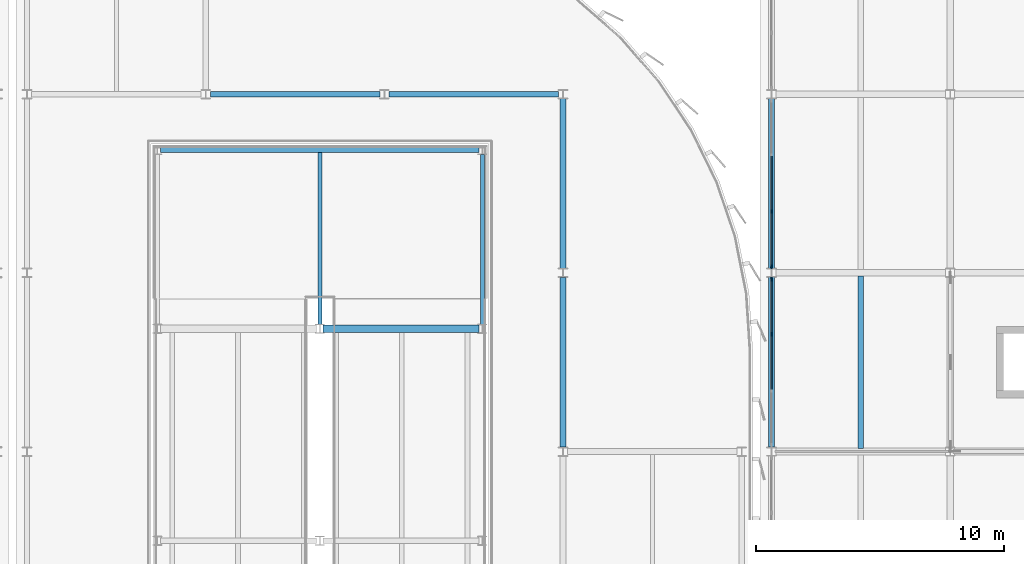
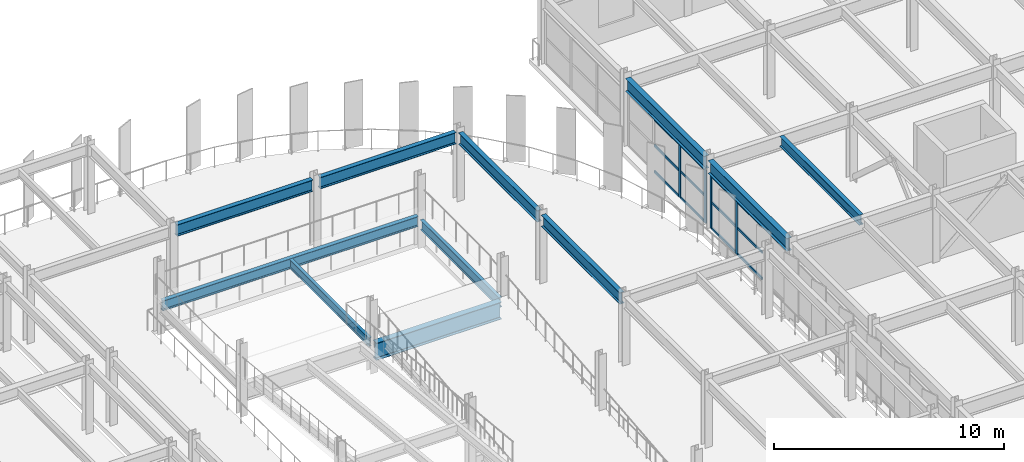
# One storey, part 35 of 80: 16 members, 11 beams, 2 elements without a shape of their own.
"""IFC4 building model written with IfcOpenShell, lengths in metres."""

import ifcopenshell
import ifcopenshell.guid

model = None  # the IFC model being written
_history = None  # IfcOwnerHistory: only IFC2X3 demands one
_inside = {}  # id of a spatial element -> (the spatial element, [elements in it])
_under = {}  # id of a project, library or spatial element -> (it, [spatial elements below it])
_declared = {}  # id of a project -> (the project, [libraries it declares])
_typed = {}  # id of a type object -> (the type object, [elements of that type])
_made_of = {}  # id of a material, layer set ... -> (it, [elements and type objects made of it])


def new_model(schema):
    """Start an empty IFC model of exactly this schema.

    Asked for "IFC4X3", IfcOpenShell would pick the latest addendum, in which some entities
    have other attributes; the version numbers below select the first issue.
    IFC2X3 requires an IfcOwnerHistory on every rooted entity: one is made here for all.
    """
    global model, _history
    if schema == "IFC4X3":
        model = ifcopenshell.file(schema_version=(4, 3, 0, 0))
    else:
        model = ifcopenshell.file(schema=schema)
    _inside.clear()
    _under.clear()
    _declared.clear()
    _typed.clear()
    _made_of.clear()
    _history = None
    if model.schema == "IFC2X3":
        org = make("IfcOrganization", Name="unknown")
        user = make(
            "IfcPersonAndOrganization",
            ThePerson=make("IfcPerson", FamilyName="unknown"),
            TheOrganization=org,
        )
        app = make(
            "IfcApplication",
            ApplicationDeveloper=org,
            Version="unknown",
            ApplicationFullName="unknown",
            ApplicationIdentifier="unknown",
        )
        _history = make(
            "IfcOwnerHistory",
            OwningUser=user,
            OwningApplication=app,
            ChangeAction="ADDED",
            CreationDate=0,
        )
    return model


def make(cls, **values):
    """One entity of the class cls with the attributes given. An attribute that is None is left unset."""
    return model.create_entity(
        cls, **{name: value for name, value in values.items() if value is not None}
    )


def rooted(cls, **values):
    """An entity with a GlobalId (a new one), such as an element, a storey or a relation."""
    return make(cls, GlobalId=ifcopenshell.guid.new(), OwnerHistory=_history, **values)


def si_unit(unit_type, name, prefix=None):
    """IfcSIUnit, for example si_unit("LENGTHUNIT", "METRE", prefix="MILLI")."""
    return make("IfcSIUnit", UnitType=unit_type, Prefix=prefix, Name=name)


def assignment(units):
    """IfcUnitAssignment: the units of a project."""
    return None if units is None else make("IfcUnitAssignment", Units=units)


def point(xyz):
    """IfcCartesianPoint."""
    return None if xyz is None else make("IfcCartesianPoint", Coordinates=xyz)


def direction(xyz):
    """IfcDirection."""
    return None if xyz is None else make("IfcDirection", DirectionRatios=xyz)


def frame(location, z_axis=None, x_axis=None):
    """IfcAxis2Placement3D, a coordinate frame: its origin and axes. An axis left out is left unset."""
    return make(
        "IfcAxis2Placement3D",
        Location=point(location),
        Axis=direction(z_axis),
        RefDirection=direction(x_axis),
    )


def frame_2d(location, x_axis=None):
    """IfcAxis2Placement2D, a coordinate frame in the plane: its origin and x axis."""
    return make(
        "IfcAxis2Placement2D", Location=point(location), RefDirection=direction(x_axis)
    )


def origin():
    """The frame at (0, 0, 0) with its axes left unset."""
    return frame((0.0, 0.0, 0.0))


def origin_2d():
    """The frame at (0, 0) in the plane with its x axis left unset."""
    return frame_2d((0.0, 0.0))


def place(relative_to, where):
    """IfcLocalPlacement: puts the frame where relative to a parent placement (None: the world)."""
    return make(
        "IfcLocalPlacement", PlacementRelTo=relative_to, RelativePlacement=where
    )


def context(
    kind, dimensions, precision=None, world=None, true_north=None, identifier=None
):
    """IfcGeometricRepresentationContext, for example the 3D "Model" context."""
    return make(
        "IfcGeometricRepresentationContext",
        ContextIdentifier=identifier,
        ContextType=kind,
        CoordinateSpaceDimension=dimensions,
        Precision=precision,
        WorldCoordinateSystem=world,
        TrueNorth=true_north,
    )


def subcontext(parent, identifier, kind, view, scale=None):
    """IfcGeometricRepresentationSubContext, for example "Body" below "Model"."""
    return make(
        "IfcGeometricRepresentationSubContext",
        ContextIdentifier=identifier,
        ContextType=kind,
        ParentContext=parent,
        TargetScale=scale,
        TargetView=view,
    )


def project(units=None, contexts=None):
    """IfcProject with its units and contexts."""
    return rooted(
        "IfcProject",
        Name="project",
        RepresentationContexts=contexts,
        UnitsInContext=assignment(units),
    )


def spatial(cls, under=None, at=None, **own):
    """A site, building, storey or space (cls), placed at a placement, below another one or the project."""
    s = rooted(cls, ObjectPlacement=at, **own)
    if under is not None:
        _under.setdefault(under.id(), (under, []))[1].append(s)
    return s


def profile(cls, at=None, kind="AREA", **sizes):
    """A parametric profile (cls). Its sizes go by their IFC names, for example OverallWidth=200.0."""
    return make(cls, ProfileType=kind, Position=at, **sizes)


def rectangle(**sizes):
    """IfcRectangleProfileDef."""
    return profile("IfcRectangleProfileDef", **sizes)


def i_section(**sizes):
    """IfcIShapeProfileDef."""
    return profile("IfcIShapeProfileDef", **sizes)


def extrude(swept, where, along, depth):
    """IfcExtrudedAreaSolid: the profile swept, set in the frame where, extruded along a direction by depth."""
    return make(
        "IfcExtrudedAreaSolid",
        SweptArea=swept,
        Position=where,
        ExtrudedDirection=direction(along),
        Depth=depth,
    )


def shape(context_of_items, identifier, shape_type, items):
    """IfcShapeRepresentation: the items that make up one representation, for example the "Body"."""
    return make(
        "IfcShapeRepresentation",
        ContextOfItems=context_of_items,
        RepresentationIdentifier=identifier,
        RepresentationType=shape_type,
        Items=items,
    )


def material(Name=None, Category=None):
    """IfcMaterial."""
    return make("IfcMaterial", Name=Name, Category=Category)


def material_profile(
    of_material, cross_section, Name=None, Category=None, Priority=None
):
    """IfcMaterialProfile: a cross section and its material."""
    return make(
        "IfcMaterialProfile",
        Name=Name,
        Material=of_material,
        Profile=cross_section,
        Priority=Priority,
        Category=Category,
    )


def profile_set(profiles, Name=None, composite=None):
    """IfcMaterialProfileSet."""
    return make(
        "IfcMaterialProfileSet",
        Name=Name,
        MaterialProfiles=profiles,
        CompositeProfile=composite,
    )


def made_of(thing, what):
    """Note that an element or type object is made of a material, layer set ...; save() writes the relation."""
    if what is not None:
        _made_of.setdefault(what.id(), (what, []))[1].append(thing)
    return thing


def type_object(cls, material=None, **own):
    """A type object (cls), such as IfcWallType, which elements share."""
    return made_of(rooted(cls, **own), material)


def element(
    cls,
    number,
    at=None,
    inside=None,
    cuts=None,
    type_object=None,
    material=None,
    context=None,
    identifier="Body",
    shape_type=None,
    held_by="IfcProductDefinitionShape",
    body=None,
    shapes=None,
    **own,
):
    """One element of the class cls, such as IfcWall. Its Tag is "e" and its number.

    at: its placement. inside: the storey or other place that contains it. cuts: it is an
    opening in that element (IfcRelVoidsElement). A single representation is given by context,
    identifier, shape_type and body (its items); several are given by shapes. held_by: the class
    of the entity that holds the representations. save() writes the other relations.
    """
    e = rooted(cls, Tag="e%d" % number, ObjectPlacement=at, **own)
    if body is not None:
        shapes = [shape(context, identifier, shape_type, body)]
    if shapes is not None:
        e.Representation = make(held_by, Representations=shapes)
    if inside is not None:
        _inside.setdefault(inside.id(), (inside, []))[1].append(e)
    if cuts is not None:
        rooted(
            "IfcRelVoidsElement", RelatingBuildingElement=cuts, RelatedOpeningElement=e
        )
    if type_object is not None:
        _typed.setdefault(type_object.id(), (type_object, []))[1].append(e)
    return made_of(e, material)


def aggregate(whole, parts):
    """IfcRelAggregates: a whole, such as a stair, and the parts it consists of."""
    return rooted("IfcRelAggregates", RelatingObject=whole, RelatedObjects=parts)


def save(model, path):
    """Write the relations noted so far, then the file.

    IfcRelAggregates (storeys below a building ...), IfcRelContainedInSpatialStructure (elements
    in a storey), IfcRelDefinesByType, IfcRelAssociatesMaterial and IfcRelDeclares: one each for
    every whole, place, type object, material and project.
    """
    for whole, parts in _under.values():
        aggregate(whole, parts)
    for where, things in _inside.values():
        rooted(
            "IfcRelContainedInSpatialStructure",
            RelatedElements=things,
            RelatingStructure=where,
        )
    for kind, things in _typed.values():
        rooted("IfcRelDefinesByType", RelatedObjects=things, RelatingType=kind)
    for what, things in _made_of.values():
        rooted("IfcRelAssociatesMaterial", RelatedObjects=things, RelatingMaterial=what)
    for by, libraries in _declared.values():
        rooted("IfcRelDeclares", RelatingContext=by, RelatedDefinitions=libraries)
    model.write(path)


model = new_model("IFC4")

# Units and contexts
model_context = context("Model", 3, precision=1e-05, world=origin(), true_north=direction((0.0, 1.0)))
body_context = subcontext(model_context, "Body", "Model", "MODEL_VIEW")
ifc_project = project(units=[si_unit("LENGTHUNIT", "METRE"), si_unit("AREAUNIT", "SQUARE_METRE"), si_unit("VOLUMEUNIT", "CUBIC_METRE"), si_unit("PLANEANGLEUNIT", "RADIAN"), si_unit("MASSUNIT", "GRAM", prefix="KILO")], contexts=[model_context])

# Site, building, storey
site_placement = place(None, origin())
site = spatial("IfcSite", under=ifc_project, at=site_placement, CompositionType="ELEMENT")
building_placement = place(site_placement, origin())
building = spatial("IfcBuilding", under=site, at=building_placement, Name="Vaelcorin Mobility Hub", CompositionType="ELEMENT")
storey_placement = place(building_placement, frame((0.0, 0.0, 9.300048828125)))
storey = spatial("IfcBuildingStorey", under=building, at=storey_placement, Name="L02", CompositionType="ELEMENT", Elevation=9.300048828125)

# Beams
ifc_material_1 = material(Name="Steel ASTM A992 Grade 50", Category="steel")
ifc_material_profile_1 = material_profile(ifc_material_1, i_section(OverallWidth=0.152099609375, OverallDepth=0.455078125, WebThickness=0.008056640625, FlangeThickness=0.01318359375, FilletRadius=0.012939453125, at=origin_2d()), Name="W18X40")
ifc_profile_set_1 = profile_set([ifc_material_profile_1], Name="Steel ASTM A992 Grade 50")
beam_type_1 = type_object("IfcBeamType", Name="BM-W18X40", PredefinedType="JOIST", material=ifc_profile_set_1)
beam_1_placement = place(storey_placement, frame((135.39990234375, 103.52490234375, 1.44287109375), z_axis=(0.0, 1.0, 0.0), x_axis=(-1.0, 0.0, 0.0)))
element("IfcBeam", 1, at=beam_1_placement, inside=storey, type_object=beam_type_1, Name="Vehicle Ramp VR-2 L02 Landing Mid Joist", PredefinedType="JOIST", context=body_context, shape_type="SweptSolid", body=[
    extrude(i_section(OverallWidth=0.152099609375, OverallDepth=0.455078125, WebThickness=0.008056640625, FlangeThickness=0.01318359375, FilletRadius=0.012939453125, at=origin_2d()), origin(), (0.0, 0.0, 1.0), 6.922119140625),
])
ifc_material_profile_2 = material_profile(ifc_material_1, i_section(OverallWidth=0.166015625, OverallDepth=0.528076171875, WebThickness=0.009765625, FlangeThickness=0.013671875, FilletRadius=0.013916015625, at=origin_2d()), Name="W21X50")
ifc_profile_set_2 = profile_set([ifc_material_profile_2], Name="Steel ASTM A992 Grade 50")
beam_type_2 = type_object("IfcBeamType", Name="BM-W21X50", PredefinedType="JOIST", material=ifc_profile_set_2)
beam_2_placement = place(storey_placement, frame((141.949951171875, 103.52490234375, 1.25390625), z_axis=(0.0, 1.0, 0.0), x_axis=(-1.0, 0.0, 0.0)))
element("IfcBeam", 2, at=beam_2_placement, inside=storey, type_object=beam_type_2, Name="Vehicle Ramp VR-2 L02 Landing East Edge Beam", PredefinedType="JOIST", context=body_context, shape_type="SweptSolid", body=[
    extrude(i_section(OverallWidth=0.166015625, OverallDepth=0.528076171875, WebThickness=0.009765625, FlangeThickness=0.013671875, FilletRadius=0.013916015625, at=origin_2d()), origin(), (0.0, 0.0, 1.0), 6.85009765625),
])
ifc_material_profile_3 = material_profile(ifc_material_1, i_section(OverallWidth=0.2099609375, OverallDepth=0.532958984375, WebThickness=0.01025390625, FlangeThickness=0.015625, FilletRadius=0.013916015625, at=origin_2d()), Name="W21X62")
ifc_profile_set_3 = profile_set([ifc_material_profile_3], Name="Steel ASTM A992 Grade 50")
beam_type_3 = type_object("IfcBeamType", Name="BM-W21X62", PredefinedType="JOIST", material=ifc_profile_set_3)
beam_3_placement = place(storey_placement, frame((157.199951171875, 98.531982421875, 3.333984375), z_axis=(0.0, 1.0, 0.0), x_axis=(-1.0, 0.0, 0.0)))
element("IfcBeam", 3, at=beam_3_placement, inside=storey, type_object=beam_type_3, Name="L02 Beam V5-L02-J-01-12-1", PredefinedType="JOIST", context=body_context, shape_type="SweptSolid", body=[
    extrude(i_section(OverallWidth=0.2099609375, OverallDepth=0.532958984375, WebThickness=0.01025390625, FlangeThickness=0.015625, FilletRadius=0.013916015625, at=origin_2d()), origin(), (0.0, 0.0, 1.0), 6.93603515625),
])
ifc_material_profile_4 = material_profile(ifc_material_1, i_section(OverallWidth=0.2099609375, OverallDepth=0.535888671875, WebThickness=0.010986328125, FlangeThickness=0.017333984375, FilletRadius=0.013916015625, at=origin_2d()), Name="W21X68")
ifc_profile_set_4 = profile_set([ifc_material_profile_4], Name="Steel ASTM A992 Grade 50")
beam_type_4 = type_object("IfcBeamType", Name="BM-W21X68", PredefinedType="SPANDREL", material=ifc_profile_set_4)
beam_4_placement = place(storey_placement, frame((128.97998046875, 110.550048828125, 1.40185546875), z_axis=(1.0, 0.0, 0.0), x_axis=(0.0, 1.0, 0.0)))
element("IfcBeam", 4, at=beam_4_placement, inside=storey, type_object=beam_type_4, Name="Vehicle Ramp VR-2 L02 Landing Back Girder", PredefinedType="SPANDREL", context=body_context, shape_type="SweptSolid", body=[
    extrude(i_section(OverallWidth=0.2099609375, OverallDepth=0.535888671875, WebThickness=0.010986328125, FlangeThickness=0.017333984375, FilletRadius=0.013916015625, at=origin_2d()), origin(), (0.0, 0.0, 1.0), 12.840087890625),
])
ifc_material_profile_5 = material_profile(ifc_material_1, i_section(OverallWidth=0.22900390625, OverallDepth=0.612060546875, WebThickness=0.011962890625, FlangeThickness=0.01953125, FilletRadius=0.014892578125, at=origin_2d()), Name="W24X84")
ifc_profile_set_5 = profile_set([ifc_material_profile_5], Name="Steel ASTM A992 Grade 50")
beam_type_5 = type_object("IfcBeamType", Name="BM-W24X84", PredefinedType="BEAM", material=ifc_profile_set_5)
for number, where, z_axis, x_axis, name in (
    (5, (130.98388671875, 112.800048828125, 3.343994140625), (1.0, 0.0, 0.0), (0.0, 1.0, 0.0), "L02 Beam V2E-L02-GX-06-02"),
    (6, (138.18408203125, 112.800048828125, 3.343994140625), (1.0, 0.0, 0.0), (0.0, 1.0, 0.0), "L02 Beam V2E-L02-GX-06-03"),
):
    element("IfcBeam", number, at=place(storey_placement, frame(where, z_axis=z_axis, x_axis=x_axis)), inside=storey, type_object=beam_type_5, Name=name, PredefinedType="BEAM", context=body_context, shape_type="SweptSolid", body=[
        extrude(i_section(OverallWidth=0.22900390625, OverallDepth=0.612060546875, WebThickness=0.011962890625, FlangeThickness=0.01953125, FilletRadius=0.014892578125, at=origin_2d()), origin(), (0.0, 0.0, 1.0), 6.83203125),
    ])
beam_5_placement = place(storey_placement, frame((145.199951171875, 98.580078125, 3.343994140625), z_axis=(0.0, 1.0, 0.0), x_axis=(-1.0, 0.0, 0.0)))
element("IfcBeam", 7, at=beam_5_placement, inside=storey, type_object=beam_type_5, Name="L02 Beam V2E-L02-GY-04-04", PredefinedType="BEAM", context=body_context, shape_type="SweptSolid", body=[
    extrude(i_section(OverallWidth=0.22900390625, OverallDepth=0.612060546875, WebThickness=0.011962890625, FlangeThickness=0.01953125, FilletRadius=0.014892578125, at=origin_2d()), origin(), (0.0, 0.0, 1.0), 6.83984375),
])
beam_6_placement = place(storey_placement, frame((145.199951171875, 105.780029296875, 3.343994140625), z_axis=(0.0, 1.0, 0.0), x_axis=(-1.0, 0.0, 0.0)))
element("IfcBeam", 8, at=beam_6_placement, inside=storey, type_object=beam_type_5, Name="L02 Beam V2E-L02-GY-04-05", PredefinedType="BEAM", context=body_context, shape_type="SweptSolid", body=[
    extrude(i_section(OverallWidth=0.22900390625, OverallDepth=0.612060546875, WebThickness=0.011962890625, FlangeThickness=0.01953125, FilletRadius=0.014892578125, at=origin_2d()), origin(), (0.0, 0.0, 1.0), 6.840087890625),
])
ifc_material_profile_6 = material_profile(ifc_material_1, i_section(OverallWidth=0.25390625, OverallDepth=0.68310546875, WebThickness=0.012451171875, FlangeThickness=0.018798828125, FilletRadius=0.01611328125, at=origin_2d()), Name="W27X94")
ifc_profile_set_6 = profile_set([ifc_material_profile_6], Name="Steel ASTM A992 Grade 50")
beam_type_6 = type_object("IfcBeamType", Name="BM-W27X94", PredefinedType="BEAM", material=ifc_profile_set_6)
for number, where, z_axis, x_axis, name in (
    (9, (153.60009765625, 98.575927734375, 3.258056640625), (0.0, 1.0, 0.0), (-1.0, 0.0, 0.0), "L02 Beam V5-L02-GY-01-12"),
    (10, (153.60009765625, 105.77587890625, 3.258056640625), (0.0, 1.0, 0.0), (-1.0, 0.0, 0.0), "L02 Beam V5-L02-GY-01-13"),
):
    element("IfcBeam", number, at=place(storey_placement, frame(where, z_axis=z_axis, x_axis=x_axis)), inside=storey, type_object=beam_type_6, Name=name, PredefinedType="BEAM", context=body_context, shape_type="SweptSolid", body=[
        extrude(i_section(OverallWidth=0.25390625, OverallDepth=0.68310546875, WebThickness=0.012451171875, FlangeThickness=0.018798828125, FilletRadius=0.01611328125, at=origin_2d()), origin(), (0.0, 0.0, 1.0), 6.84814453125),
    ])
ifc_material_profile_7 = material_profile(ifc_material_1, i_section(OverallWidth=0.304931640625, OverallDepth=0.9140625, WebThickness=0.0166015625, FlangeThickness=0.02587890625, FilletRadius=0.02001953125, at=origin_2d()), Name="W36X160")
ifc_profile_set_7 = profile_set([ifc_material_profile_7], Name="Steel ASTM A992 Grade 50")
beam_type_7 = type_object("IfcBeamType", Name="BM-W36X160", PredefinedType="BEAM", material=ifc_profile_set_7)
beam_7_placement = place(storey_placement, frame((135.530029296875, 103.35009765625, 1.06103515625), z_axis=(1.0, 0.0, 0.0), x_axis=(0.0, 1.0, 0.0)))
element("IfcBeam", 11, at=beam_7_placement, inside=storey, type_object=beam_type_7, Name="Vehicle Ramp VR-2 L02 Landing Girder NE", PredefinedType="BEAM", context=body_context, shape_type="SweptSolid", body=[
    extrude(i_section(OverallWidth=0.304931640625, OverallDepth=0.9140625, WebThickness=0.0166015625, FlangeThickness=0.02587890625, FilletRadius=0.02001953125, at=origin_2d()), origin(), (0.0, 0.0, 1.0), 6.2900390625),
])

# Curtain wall, members
ifc_material_2 = material(Name="Anodised aluminium 6063-T6", Category="aluminium")
curtain_wall_type = type_object("IfcCurtainWallType", Name="CW-MOB-A", PredefinedType="NOTDEFINED", material=ifc_material_2)
curtain_wall_1_placement = place(storey_placement, origin())
curtain_wall_1 = element("IfcCurtainWall", 12, at=curtain_wall_1_placement, inside=storey, type_object=curtain_wall_type, Name="L02 Curtain Wall CW-V5-L02-WN-04", PredefinedType="NOTDEFINED")
ifc_material_profile_8 = material_profile(ifc_material_2, rectangle(XDim=0.06005859375, YDim=0.159912109375, at=origin_2d()), Name="ALU-M60X160")
ifc_profile_set_8 = profile_set([ifc_material_profile_8], Name="Anodised aluminium 6063-T6")
member_type_1 = type_object("IfcMemberType", Name="CW-MULL-160", PredefinedType="MULLION", material=ifc_profile_set_8)
member_1_placement = place(storey_placement, frame((153.60009765625, 103.126708984375, 0.0), z_axis=(0.0, 0.0, 1.0), x_axis=(-1.0, 0.0, 0.0)))
member_1 = element("IfcMember", 13, at=member_1_placement, type_object=member_type_1, Name="CW7 mullion 3", PredefinedType="MULLION", context=body_context, shape_type="SweptSolid", body=[
    extrude(rectangle(XDim=0.06005859375, YDim=0.159912109375, at=origin_2d()), origin(), (0.0, 0.0, 1.0), 2.827880859375),
])
member_2_placement = place(storey_placement, frame((153.60009765625, 105.35009765625, 0.0), z_axis=(0.0, 0.0, 1.0), x_axis=(-1.0, 0.0, 0.0)))
member_2 = element("IfcMember", 14, at=member_2_placement, type_object=member_type_1, Name="CW7 mullion 4", PredefinedType="MULLION", context=body_context, shape_type="SweptSolid", body=[
    extrude(rectangle(XDim=0.06005859375, YDim=0.159912109375, at=origin_2d()), origin(), (0.0, 0.0, 1.0), 2.827880859375),
])

curtain_wall_2_placement = place(storey_placement, origin())
curtain_wall_2 = element("IfcCurtainWall", 15, at=curtain_wall_2_placement, inside=storey, type_object=curtain_wall_type, Name="L02 Curtain Wall CW-V5-L02-WN-05", PredefinedType="NOTDEFINED")
member_3_placement = place(storey_placement, frame((153.60009765625, 105.85009765625, 0.0), z_axis=(0.0, 0.0, 1.0), x_axis=(-1.0, 0.0, 0.0)))
member_3 = element("IfcMember", 16, at=member_3_placement, type_object=member_type_1, Name="CW7 mullion 1", PredefinedType="MULLION", context=body_context, shape_type="SweptSolid", body=[
    extrude(rectangle(XDim=0.06005859375, YDim=0.159912109375, at=origin_2d()), origin(), (0.0, 0.0, 1.0), 2.827880859375),
])
member_4_placement = place(storey_placement, frame((153.60009765625, 108.0732421875, 0.0), z_axis=(0.0, 0.0, 1.0), x_axis=(-1.0, 0.0, 0.0)))
member_4 = element("IfcMember", 17, at=member_4_placement, type_object=member_type_1, Name="CW7 mullion 2", PredefinedType="MULLION", context=body_context, shape_type="SweptSolid", body=[
    extrude(rectangle(XDim=0.06005859375, YDim=0.159912109375, at=origin_2d()), origin(), (0.0, 0.0, 1.0), 2.827880859375),
])

# Member
ifc_material_profile_9 = material_profile(ifc_material_2, rectangle(XDim=0.06005859375, YDim=0.1201171875, at=origin_2d()), Name="ALU-T60X120")
ifc_profile_set_9 = profile_set([ifc_material_profile_9], Name="Anodised aluminium 6063-T6")
member_type_2 = type_object("IfcMemberType", Name="CW-TRAN-140", PredefinedType="USERDEFINED", material=ifc_profile_set_9)
member_5_placement = place(storey_placement, frame((153.60009765625, 100.9033203125, 0.030029296875), z_axis=(0.0, 1.0, 0.0), x_axis=(-1.0, 0.0, 0.0)))
member_5 = element("IfcMember", 18, at=member_5_placement, type_object=member_type_2, Name="CW7 transom 2.1", ObjectType="TRANSOM", PredefinedType="USERDEFINED", context=body_context, shape_type="SweptSolid", body=[
    extrude(rectangle(XDim=0.06005859375, YDim=0.1201171875, at=origin_2d()), origin(), (0.0, 0.0, 1.0), 2.193359375),
])

member_6_placement = place(storey_placement, frame((153.60009765625, 100.9033203125, 1.4140625), z_axis=(0.0, 1.0, 0.0), x_axis=(-1.0, 0.0, 0.0)))
member_6 = element("IfcMember", 19, at=member_6_placement, type_object=member_type_2, Name="CW7 transom 2.2", ObjectType="TRANSOM", PredefinedType="USERDEFINED", context=body_context, shape_type="SweptSolid", body=[
    extrude(rectangle(XDim=0.06005859375, YDim=0.1201171875, at=origin_2d()), origin(), (0.0, 0.0, 1.0), 2.193359375),
])

member_7_placement = place(storey_placement, frame((153.60009765625, 100.9033203125, 2.7978515625), z_axis=(0.0, 1.0, 0.0), x_axis=(-1.0, 0.0, 0.0)))
member_7 = element("IfcMember", 20, at=member_7_placement, type_object=member_type_2, Name="CW7 transom 2.3", ObjectType="TRANSOM", PredefinedType="USERDEFINED", context=body_context, shape_type="SweptSolid", body=[
    extrude(rectangle(XDim=0.06005859375, YDim=0.1201171875, at=origin_2d()), origin(), (0.0, 0.0, 1.0), 2.193359375),
])

member_8_placement = place(storey_placement, frame((153.60009765625, 103.15673828125, 0.030029296875), z_axis=(0.0, 1.0, 0.0), x_axis=(-1.0, 0.0, 0.0)))
member_8 = element("IfcMember", 21, at=member_8_placement, type_object=member_type_2, Name="CW7 transom 3.1", ObjectType="TRANSOM", PredefinedType="USERDEFINED", context=body_context, shape_type="SweptSolid", body=[
    extrude(rectangle(XDim=0.06005859375, YDim=0.1201171875, at=origin_2d()), origin(), (0.0, 0.0, 1.0), 2.163330078125),
])

member_9_placement = place(storey_placement, frame((153.60009765625, 103.15673828125, 1.4140625), z_axis=(0.0, 1.0, 0.0), x_axis=(-1.0, 0.0, 0.0)))
member_9 = element("IfcMember", 22, at=member_9_placement, type_object=member_type_2, Name="CW7 transom 3.2", ObjectType="TRANSOM", PredefinedType="USERDEFINED", context=body_context, shape_type="SweptSolid", body=[
    extrude(rectangle(XDim=0.06005859375, YDim=0.1201171875, at=origin_2d()), origin(), (0.0, 0.0, 1.0), 2.163330078125),
])

member_10_placement = place(storey_placement, frame((153.60009765625, 103.15673828125, 2.7978515625), z_axis=(0.0, 1.0, 0.0), x_axis=(-1.0, 0.0, 0.0)))
member_10 = element("IfcMember", 23, at=member_10_placement, type_object=member_type_2, Name="CW7 transom 3.3", ObjectType="TRANSOM", PredefinedType="USERDEFINED", context=body_context, shape_type="SweptSolid", body=[
    extrude(rectangle(XDim=0.06005859375, YDim=0.1201171875, at=origin_2d()), origin(), (0.0, 0.0, 1.0), 2.163330078125),
])

aggregate(curtain_wall_1, [member_1, member_2, member_5, member_6, member_7, member_8, member_9, member_10])

member_11_placement = place(storey_placement, frame((153.60009765625, 105.8798828125, 0.030029296875), z_axis=(0.0, 1.0, 0.0), x_axis=(-1.0, 0.0, 0.0)))
member_11 = element("IfcMember", 24, at=member_11_placement, type_object=member_type_2, Name="CW7 transom 1.1", ObjectType="TRANSOM", PredefinedType="USERDEFINED", context=body_context, shape_type="SweptSolid", body=[
    extrude(rectangle(XDim=0.06005859375, YDim=0.1201171875, at=origin_2d()), origin(), (0.0, 0.0, 1.0), 2.163330078125),
])

member_12_placement = place(storey_placement, frame((153.60009765625, 105.8798828125, 1.4140625), z_axis=(0.0, 1.0, 0.0), x_axis=(-1.0, 0.0, 0.0)))
member_12 = element("IfcMember", 25, at=member_12_placement, type_object=member_type_2, Name="CW7 transom 1.2", ObjectType="TRANSOM", PredefinedType="USERDEFINED", context=body_context, shape_type="SweptSolid", body=[
    extrude(rectangle(XDim=0.06005859375, YDim=0.1201171875, at=origin_2d()), origin(), (0.0, 0.0, 1.0), 2.163330078125),
])

member_13_placement = place(storey_placement, frame((153.60009765625, 105.8798828125, 2.7978515625), z_axis=(0.0, 1.0, 0.0), x_axis=(-1.0, 0.0, 0.0)))
member_13 = element("IfcMember", 26, at=member_13_placement, type_object=member_type_2, Name="CW7 transom 1.3", ObjectType="TRANSOM", PredefinedType="USERDEFINED", context=body_context, shape_type="SweptSolid", body=[
    extrude(rectangle(XDim=0.06005859375, YDim=0.1201171875, at=origin_2d()), origin(), (0.0, 0.0, 1.0), 2.163330078125),
])

member_14_placement = place(storey_placement, frame((153.60009765625, 108.103271484375, 0.030029296875), z_axis=(0.0, 1.0, 0.0), x_axis=(-1.0, 0.0, 0.0)))
member_14 = element("IfcMember", 27, at=member_14_placement, type_object=member_type_2, Name="CW7 transom 2.1", ObjectType="TRANSOM", PredefinedType="USERDEFINED", context=body_context, shape_type="SweptSolid", body=[
    extrude(rectangle(XDim=0.06005859375, YDim=0.1201171875, at=origin_2d()), origin(), (0.0, 0.0, 1.0), 2.193359375),
])

member_15_placement = place(storey_placement, frame((153.60009765625, 108.103271484375, 1.4140625), z_axis=(0.0, 1.0, 0.0), x_axis=(-1.0, 0.0, 0.0)))
member_15 = element("IfcMember", 28, at=member_15_placement, type_object=member_type_2, Name="CW7 transom 2.2", ObjectType="TRANSOM", PredefinedType="USERDEFINED", context=body_context, shape_type="SweptSolid", body=[
    extrude(rectangle(XDim=0.06005859375, YDim=0.1201171875, at=origin_2d()), origin(), (0.0, 0.0, 1.0), 2.193359375),
])

member_16_placement = place(storey_placement, frame((153.60009765625, 108.103271484375, 2.7978515625), z_axis=(0.0, 1.0, 0.0), x_axis=(-1.0, 0.0, 0.0)))
member_16 = element("IfcMember", 29, at=member_16_placement, type_object=member_type_2, Name="CW7 transom 2.3", ObjectType="TRANSOM", PredefinedType="USERDEFINED", context=body_context, shape_type="SweptSolid", body=[
    extrude(rectangle(XDim=0.06005859375, YDim=0.1201171875, at=origin_2d()), origin(), (0.0, 0.0, 1.0), 2.193359375),
])

aggregate(curtain_wall_2, [member_3, member_4, member_11, member_12, member_13, member_14, member_15, member_16])

save(model, "model.ifc")
